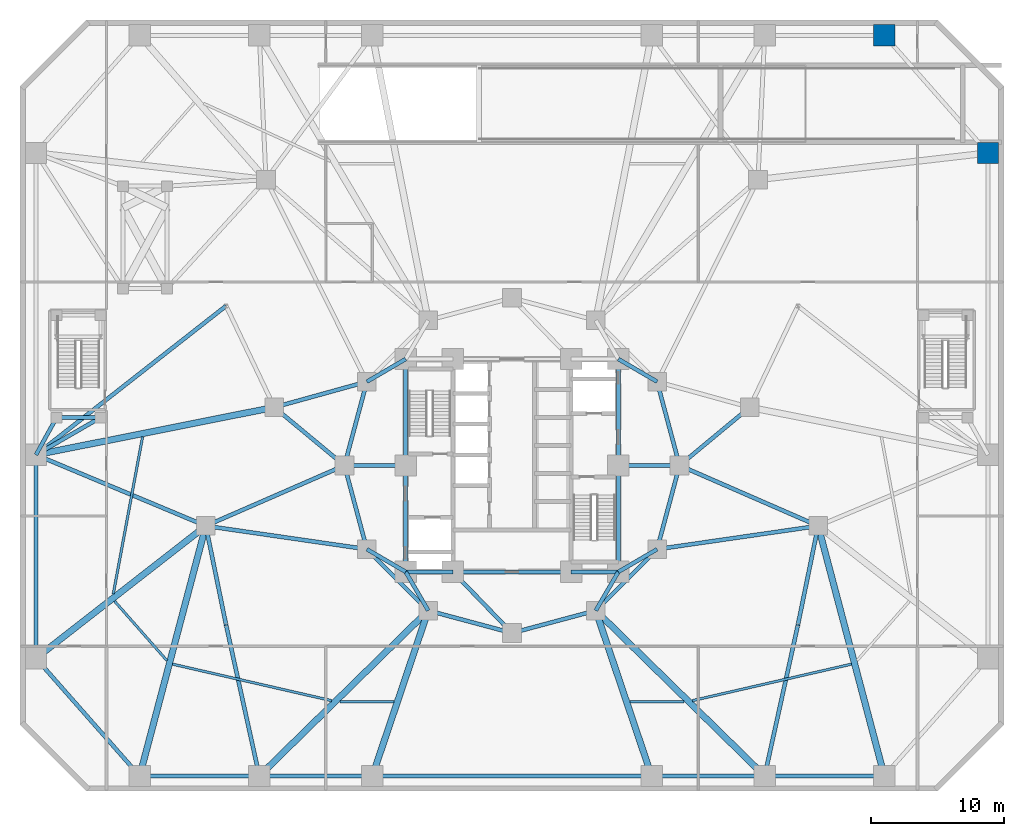
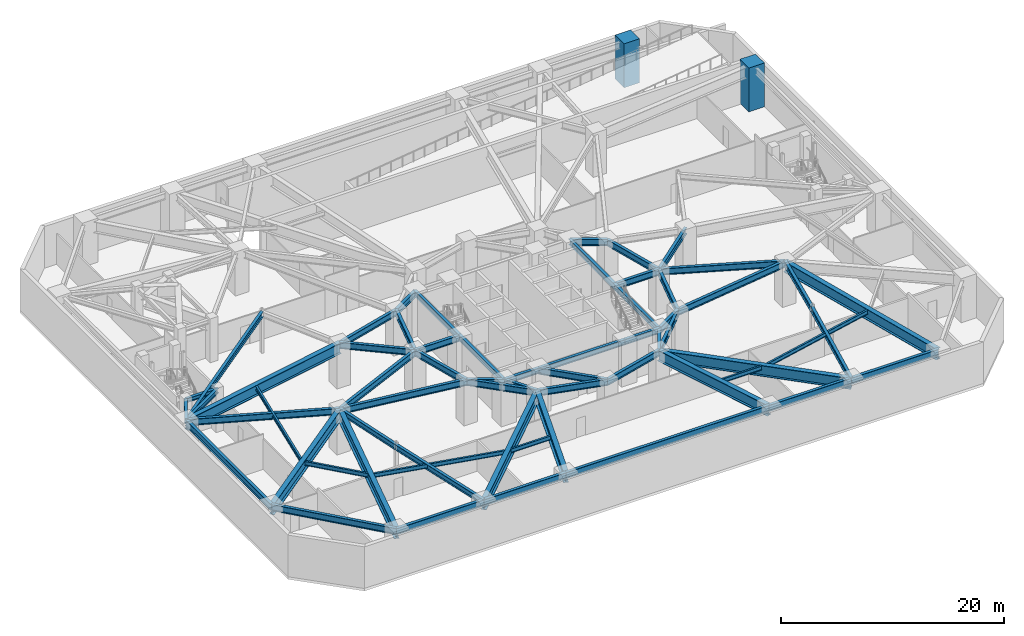
# One storey, part 8 of 18: 61 beams, 2 columns.
"""IFC4 building model written with IfcOpenShell, lengths in metres."""

from ifc_helpers import new_model, si_unit, direction, frame, origin, origin_2d, place, context, subcontext, project, spatial, rectangle, i_section, extrude, material, material_profile, profile_set, type_object, element, save


model = new_model("IFC4")

# Units and contexts
model_context = context("Model", 3, precision=1e-05, world=origin(), true_north=direction((0.0, 1.0)))
body_context = subcontext(model_context, "Body", "Model", "MODEL_VIEW")
ifc_project = project(units=[si_unit("LENGTHUNIT", "METRE"), si_unit("AREAUNIT", "SQUARE_METRE"), si_unit("VOLUMEUNIT", "CUBIC_METRE"), si_unit("PLANEANGLEUNIT", "RADIAN"), si_unit("MASSUNIT", "GRAM", prefix="KILO")], contexts=[model_context])

# Site, building, storey
site_placement = place(None, origin())
site = spatial("IfcSite", under=ifc_project, at=site_placement, CompositionType="ELEMENT")
building_placement = place(site_placement, origin())
building = spatial("IfcBuilding", under=site, at=building_placement, Name="Terralouvre Media Tower", CompositionType="ELEMENT")
storey_placement = place(building_placement, frame((0.0, 0.0, -4.800048828125)))
storey = spatial("IfcBuildingStorey", under=building, at=storey_placement, Name="B01", CompositionType="ELEMENT", Elevation=-4.800048828125)

# Columns
ifc_material_1 = material(Name="Concrete C60/75", Category="concrete")
ifc_material_profile_1 = material_profile(ifc_material_1, rectangle(XDim=1.60009765625, YDim=1.60009765625, at=origin_2d()), Name="RC 1600x1600")
ifc_profile_set_1 = profile_set([ifc_material_profile_1], Name="Concrete C60/75")
column_type = type_object("IfcColumnType", Name="Structural Column C-RC1600 (RC 1600x1600)", PredefinedType="COLUMN", material=ifc_profile_set_1)
for number, where, z_axis, x_axis, name in (
    (1, (35.800048828125, 23.5, 0.0), (0.0, 0.0, 1.0), (1.0, 0.0, 0.0), "B01 Perimeter Mega-Column PM09"),
    (2, (28.0, 32.35009765625, 0.0), (0.0, 0.0, 1.0), (1.0, 0.0, 0.0), "B01 Perimeter Mega-Column PM10"),
):
    element("IfcColumn", number, at=place(storey_placement, frame(where, z_axis=z_axis, x_axis=x_axis)), inside=storey, type_object=column_type, Name=name, PredefinedType="COLUMN", context=body_context, shape_type="SweptSolid", body=[
        extrude(rectangle(XDim=1.60009765625, YDim=1.60009765625, at=origin_2d()), origin(), (0.0, 0.0, 1.0), 4.800048828125),
    ])

# Beams
ifc_material_2 = material(Name="Structural steel S355J2", Category="steel")
ifc_material_profile_2 = material_profile(ifc_material_2, i_section(OverallWidth=0.18994140625, OverallDepth=0.449951171875, WebThickness=0.009521484375, FlangeThickness=0.0146484375, at=origin_2d()), Name="IPE 450")
ifc_profile_set_2 = profile_set([ifc_material_profile_2], Name="Structural steel S355J2")
beam_type_1 = type_object("IfcBeamType", Name="Composite Floor Joist J-IPE450 (IPE 450)", PredefinedType="JOIST", material=ifc_profile_set_2)
beam_1_placement = place(storey_placement, frame((-29.8935546875, -10.199951171875, 4.324951171875), z_axis=(0.66119903181, -0.750210530674, 0.0), x_axis=(0.750210530674, 0.66119903181, 0.0)))
element("IfcBeam", 3, at=beam_1_placement, inside=storey, type_object=beam_type_1, Name="B01 Framing Beam JT-B01-01", PredefinedType="JOIST", context=body_context, shape_type="SweptSolid", body=[
    extrude(i_section(OverallWidth=0.18994140625, OverallDepth=0.449951171875, WebThickness=0.009521484375, FlangeThickness=0.0146484375, at=origin_2d()), origin(), (0.0, 0.0, 1.0), 5.962890625),
])
beam_2_placement = place(storey_placement, frame((-25.529052734375, -14.94189453125, 4.324951171875), z_axis=(0.974645575142, -0.223754335951, 0.0), x_axis=(0.223754335951, 0.974645575142, 0.0)))
element("IfcBeam", 4, at=beam_2_placement, inside=storey, type_object=beam_type_1, Name="B01 Framing Beam JT-B01-02", PredefinedType="JOIST", context=body_context, shape_type="SweptSolid", body=[
    extrude(i_section(OverallWidth=0.18994140625, OverallDepth=0.449951171875, WebThickness=0.009521484375, FlangeThickness=0.0146484375, at=origin_2d()), origin(), (0.0, 0.0, 1.0), 12.279296875),
])
for number, where, z_axis, x_axis, name in (
    (5, (-12.944091796875, -17.7529296875, 4.324951171875), (1.0, 0.0, 0.0), (0.0, 1.0, 0.0), "B01 Framing Beam JT-B01-03"),
    (6, (8.861328125, -17.7529296875, 4.324951171875), (1.0, 0.0, 0.0), (0.0, 1.0, 0.0), "B01 Framing Beam JT-B01-05"),
):
    element("IfcBeam", number, at=place(storey_placement, frame(where, z_axis=z_axis, x_axis=x_axis)), inside=storey, type_object=beam_type_1, Name=name, PredefinedType="JOIST", context=body_context, shape_type="SweptSolid", body=[
        extrude(i_section(OverallWidth=0.18994140625, OverallDepth=0.449951171875, WebThickness=0.009521484375, FlangeThickness=0.0146484375, at=origin_2d()), origin(), (0.0, 0.0, 1.0), 4.082763671875),
    ])
beam_3_placement = place(storey_placement, frame((13.56103515625, -17.689453125, 4.324951171875), z_axis=(0.974645575142, 0.223754335951, 0.0), x_axis=(-0.223754335951, 0.974645575142, 0.0)))
element("IfcBeam", 7, at=beam_3_placement, inside=storey, type_object=beam_type_1, Name="B01 Framing Beam JT-B01-06", PredefinedType="JOIST", context=body_context, shape_type="SweptSolid", body=[
    extrude(i_section(OverallWidth=0.18994140625, OverallDepth=0.449951171875, WebThickness=0.009521484375, FlangeThickness=0.0146484375, at=origin_2d()), origin(), (0.0, 0.0, 1.0), 12.279296875),
])
beam_4_placement = place(storey_placement, frame((-27.78076171875, 2.15576171875, 4.324951171875), z_axis=(-0.183290741446, -0.983058749058, 0.0), x_axis=(0.983058749058, -0.183290741446, 0.0)))
element("IfcBeam", 8, at=beam_4_placement, inside=storey, type_object=beam_type_1, Name="B01 Framing Beam JT-B01-17", PredefinedType="JOIST", context=body_context, shape_type="SweptSolid", body=[
    extrude(i_section(OverallWidth=0.18994140625, OverallDepth=0.449951171875, WebThickness=0.009521484375, FlangeThickness=0.0146484375, at=origin_2d()), origin(), (0.0, 0.0, 1.0), 12.026611328125),
])
ifc_material_3 = material(Name="Structural steel S355J2", Category="steel")
ifc_material_profile_3 = material_profile(ifc_material_3, i_section(OverallWidth=0.300048828125, OverallDepth=0.449951171875, WebThickness=0.013916015625, FlangeThickness=0.02587890625, at=origin_2d()), Name="HEB 450")
ifc_profile_set_3 = profile_set([ifc_material_profile_3], Name="Structural steel S355J2")
beam_type_2 = type_object("IfcBeamType", Name="Primary Floor Girder B-HEB450 (HEB 450)", PredefinedType="BEAM", material=ifc_profile_set_3)
beam_5_placement = place(storey_placement, frame((-34.25, 3.60009765625, 4.324951171875), z_axis=(1.0, 0.0, 0.0), x_axis=(0.0, 1.0, 0.0)))
element("IfcBeam", 9, at=beam_5_placement, inside=storey, type_object=beam_type_2, Name="B01 Framing Beam BM-B01-PVST31", PredefinedType="BEAM", context=body_context, shape_type="SweptSolid", body=[
    extrude(i_section(OverallWidth=0.300048828125, OverallDepth=0.449951171875, WebThickness=0.013916015625, FlangeThickness=0.02587890625, at=origin_2d()), origin(), (0.0, 0.0, 1.0), 3.300048828125),
])
ifc_material_4 = material(Name="Structural steel S355J2", Category="steel")
ifc_material_profile_4 = material_profile(ifc_material_4, i_section(OverallWidth=0.300048828125, OverallDepth=0.5, WebThickness=0.014404296875, FlangeThickness=0.028076171875, at=origin_2d()), Name="HEB 500")
ifc_profile_set_4 = profile_set([ifc_material_profile_4], Name="Structural steel S355J2")
beam_type_3 = type_object("IfcBeamType", Name="Primary Floor Girder B-HEB500 (HEB 500)", PredefinedType="BEAM", material=ifc_profile_set_4)
beam_6_placement = place(storey_placement, frame((-34.25, 3.60009765625, 4.300048828125), z_axis=(-0.484321096397, -0.874890322032, 0.0), x_axis=(0.874890322032, -0.484321096397, 0.0)))
element("IfcBeam", 10, at=beam_6_placement, inside=storey, type_object=beam_type_3, Name="B01 Framing Beam BM-B01-PVTST31", PredefinedType="BEAM", context=body_context, shape_type="SweptSolid", body=[
    extrude(i_section(OverallWidth=0.300048828125, OverallDepth=0.5, WebThickness=0.014404296875, FlangeThickness=0.028076171875, at=origin_2d()), origin(), (0.0, 0.0, 1.0), 3.200439453125),
])
beam_7_placement = place(storey_placement, frame((-30.949951171875, 3.60009765625, 4.300048828125), z_axis=(-0.866037493094, -0.499979060117, 0.0), x_axis=(0.499979060117, -0.866037493094, 0.0)))
element("IfcBeam", 11, at=beam_7_placement, inside=storey, type_object=beam_type_3, Name="B01 Framing Beam BM-B01-PVTST32", PredefinedType="BEAM", context=body_context, shape_type="SweptSolid", body=[
    extrude(i_section(OverallWidth=0.300048828125, OverallDepth=0.5, WebThickness=0.014404296875, FlangeThickness=0.028076171875, at=origin_2d()), origin(), (0.0, 0.0, 1.0), 5.600341796875),
])
ifc_material_5 = material(Name="Structural steel S460M", Category="steel")
ifc_material_profile_5 = material_profile(ifc_material_5, i_section(OverallWidth=0.300048828125, OverallDepth=0.60009765625, WebThickness=0.015380859375, FlangeThickness=0.030029296875, at=origin_2d()), Name="HEB 600")
ifc_profile_set_5 = profile_set([ifc_material_profile_5], Name="Structural steel S460M")
beam_type_4 = type_object("IfcBeamType", Name="Primary Floor Girder B-HEB600 (HEB 600)", PredefinedType="BEAM", material=ifc_profile_set_5)
beam_8_placement = place(storey_placement, frame((-8.0, -8.0, 4.25), z_axis=(1.0, 0.0, 0.0), x_axis=(0.0, 1.0, 0.0)))
element("IfcBeam", 12, at=beam_8_placement, inside=storey, type_object=beam_type_4, Name="B01 Framing Beam BM-B01-CPR01", PredefinedType="BEAM", context=body_context, shape_type="SweptSolid", body=[
    extrude(i_section(OverallWidth=0.300048828125, OverallDepth=0.60009765625, WebThickness=0.015380859375, FlangeThickness=0.030029296875, at=origin_2d()), origin(), (0.0, 0.0, 1.0), 3.550048828125),
])
beam_9_placement = place(storey_placement, frame((-4.449951171875, -8.0, 4.25), z_axis=(1.0, 0.0, 0.0), x_axis=(0.0, 1.0, 0.0)))
element("IfcBeam", 13, at=beam_9_placement, inside=storey, type_object=beam_type_4, Name="B01 Framing Beam BM-B01-CPR02", PredefinedType="BEAM", context=body_context, shape_type="SweptSolid", body=[
    extrude(i_section(OverallWidth=0.300048828125, OverallDepth=0.60009765625, WebThickness=0.015380859375, FlangeThickness=0.030029296875, at=origin_2d()), origin(), (0.0, 0.0, 1.0), 8.89990234375),
])
beam_10_placement = place(storey_placement, frame((4.449951171875, -8.0, 4.25), z_axis=(1.0, 0.0, 0.0), x_axis=(0.0, 1.0, 0.0)))
element("IfcBeam", 14, at=beam_10_placement, inside=storey, type_object=beam_type_4, Name="B01 Framing Beam BM-B01-CPR03", PredefinedType="BEAM", context=body_context, shape_type="SweptSolid", body=[
    extrude(i_section(OverallWidth=0.300048828125, OverallDepth=0.60009765625, WebThickness=0.015380859375, FlangeThickness=0.030029296875, at=origin_2d()), origin(), (0.0, 0.0, 1.0), 3.550048828125),
])
for number, where, z_axis, x_axis, name in (
    (15, (8.0, -8.0, 4.25), (0.0, 1.0, 0.0), (-1.0, 0.0, 0.0), "B01 Framing Beam BM-B01-CPR04"),
    (16, (8.0, 0.0, 4.25), (0.0, 1.0, 0.0), (-1.0, 0.0, 0.0), "B01 Framing Beam BM-B01-CPR05"),
    (17, (-8.0, 8.0, 4.25), (0.0, -1.0, 0.0), (1.0, 0.0, 0.0), "B01 Framing Beam BM-B01-CPR09"),
    (18, (-8.0, 0.0, 4.25), (0.0, -1.0, 0.0), (1.0, 0.0, 0.0), "B01 Framing Beam BM-B01-CPR10"),
):
    element("IfcBeam", number, at=place(storey_placement, frame(where, z_axis=z_axis, x_axis=x_axis)), inside=storey, type_object=beam_type_4, Name=name, PredefinedType="BEAM", context=body_context, shape_type="SweptSolid", body=[
        extrude(i_section(OverallWidth=0.300048828125, OverallDepth=0.60009765625, WebThickness=0.015380859375, FlangeThickness=0.030029296875, at=origin_2d()), origin(), (0.0, 0.0, 1.0), 8.0),
    ])
beam_11_placement = place(storey_placement, frame((-23.02490234375, -4.546630859375, 4.25), z_axis=(0.200440339184, -0.979705910173, 0.0), x_axis=(0.979705910173, 0.200440339184, 0.0)))
element("IfcBeam", 19, at=beam_11_placement, inside=storey, type_object=beam_type_4, Name="B01 Framing Beam BM-B01-PIL1A", PredefinedType="BEAM", context=body_context, shape_type="SweptSolid", body=[
    extrude(i_section(OverallWidth=0.300048828125, OverallDepth=0.60009765625, WebThickness=0.015380859375, FlangeThickness=0.030029296875, at=origin_2d()), origin(), (0.0, 0.0, 1.0), 7.607666015625),
])
beam_12_placement = place(storey_placement, frame((-21.5, -12.0, 4.25), z_axis=(0.215106223579, -0.976590657634, 0.0), x_axis=(0.976590657634, 0.215106223579, 0.0)))
element("IfcBeam", 20, at=beam_12_placement, inside=storey, type_object=beam_type_4, Name="B01 Framing Beam BM-B01-PIL1B", PredefinedType="BEAM", context=body_context, shape_type="SweptSolid", body=[
    extrude(i_section(OverallWidth=0.300048828125, OverallDepth=0.60009765625, WebThickness=0.015380859375, FlangeThickness=0.030029296875, at=origin_2d()), origin(), (0.0, 0.0, 1.0), 11.6220703125),
])
beam_13_placement = place(storey_placement, frame((23.02490234375, -4.546630859375, 4.25), z_axis=(-0.200440339184, -0.979705910173, 0.0), x_axis=(0.979705910173, -0.200440339184, 0.0)))
element("IfcBeam", 21, at=beam_13_placement, inside=storey, type_object=beam_type_4, Name="B01 Framing Beam BM-B01-PIL2A", PredefinedType="BEAM", context=body_context, shape_type="SweptSolid", body=[
    extrude(i_section(OverallWidth=0.300048828125, OverallDepth=0.60009765625, WebThickness=0.015380859375, FlangeThickness=0.030029296875, at=origin_2d()), origin(), (0.0, 0.0, 1.0), 7.607666015625),
])
beam_14_placement = place(storey_placement, frame((21.5, -12.0, 4.25), z_axis=(-0.215106223579, -0.976590657634, 0.0), x_axis=(0.976590657634, -0.215106223579, 0.0)))
element("IfcBeam", 22, at=beam_14_placement, inside=storey, type_object=beam_type_4, Name="B01 Framing Beam BM-B01-PIL2B", PredefinedType="BEAM", context=body_context, shape_type="SweptSolid", body=[
    extrude(i_section(OverallWidth=0.300048828125, OverallDepth=0.60009765625, WebThickness=0.015380859375, FlangeThickness=0.030029296875, at=origin_2d()), origin(), (0.0, 0.0, 1.0), 11.6220703125),
])
beam_15_placement = place(storey_placement, frame((-21.5, 12.0, 4.25), z_axis=(-0.787274922091, -0.616602138373, 0.0), x_axis=(0.616602138373, -0.787274922091, 0.0)))
element("IfcBeam", 23, at=beam_15_placement, inside=storey, type_object=beam_type_4, Name="B01 Framing Beam BM-B01-PIL3B", PredefinedType="BEAM", context=body_context, shape_type="SweptSolid", body=[
    extrude(i_section(OverallWidth=0.300048828125, OverallDepth=0.60009765625, WebThickness=0.015380859375, FlangeThickness=0.030029296875, at=origin_2d()), origin(), (0.0, 0.0, 1.0), 18.1640625),
])
ifc_material_6 = material(Name="Structural steel S460M", Category="steel")
ifc_material_profile_6 = material_profile(ifc_material_6, i_section(OverallWidth=0.300048828125, OverallDepth=0.699951171875, WebThickness=0.01708984375, FlangeThickness=0.031982421875, at=origin_2d()), Name="HEB 700")
ifc_profile_set_6 = profile_set([ifc_material_profile_6], Name="Structural steel S460M")
beam_type_5 = type_object("IfcBeamType", Name="Primary Floor Girder B-HEB700 (HEB 700)", PredefinedType="BEAM", material=ifc_profile_set_6)
beam_16_placement = place(storey_placement, frame((-10.911865234375, -6.300048828125, 4.199951171875), z_axis=(0.707106781187, -0.707106781187, 0.0), x_axis=(0.707106781187, 0.707106781187, 0.0)))
element("IfcBeam", 24, at=beam_16_placement, inside=storey, type_object=beam_type_5, Name="B01 Framing Beam BM-B01-MR01", PredefinedType="BEAM", context=body_context, shape_type="SweptSolid", body=[
    extrude(i_section(OverallWidth=0.300048828125, OverallDepth=0.699951171875, WebThickness=0.01708984375, FlangeThickness=0.031982421875, at=origin_2d()), origin(), (0.0, 0.0, 1.0), 6.52197265625),
])
for number, where, z_axis, x_axis, name in (
    (25, (-6.300048828125, -10.911865234375, 4.199951171875), (0.965920481897, -0.258838989821, 0.0), (0.258838989821, 0.965920481897, 0.0), "B01 Framing Beam BM-B01-MR02"),
    (26, (0.0, -12.60009765625, 4.199951171875), (0.965920481897, 0.258838989821, 0.0), (-0.258838989821, 0.965920481897, 0.0), "B01 Framing Beam BM-B01-MR03"),
):
    element("IfcBeam", number, at=place(storey_placement, frame(where, z_axis=z_axis, x_axis=x_axis)), inside=storey, type_object=beam_type_5, Name=name, PredefinedType="BEAM", context=body_context, shape_type="SweptSolid", body=[
        extrude(i_section(OverallWidth=0.300048828125, OverallDepth=0.699951171875, WebThickness=0.01708984375, FlangeThickness=0.031982421875, at=origin_2d()), origin(), (0.0, 0.0, 1.0), 6.522216796875),
    ])
beam_17_placement = place(storey_placement, frame((6.300048828125, -10.911865234375, 4.199951171875), z_axis=(0.707106781187, 0.707106781187, 0.0), x_axis=(-0.707106781187, 0.707106781187, 0.0)))
element("IfcBeam", 27, at=beam_17_placement, inside=storey, type_object=beam_type_5, Name="B01 Framing Beam BM-B01-MR04", PredefinedType="BEAM", context=body_context, shape_type="SweptSolid", body=[
    extrude(i_section(OverallWidth=0.300048828125, OverallDepth=0.699951171875, WebThickness=0.01708984375, FlangeThickness=0.031982421875, at=origin_2d()), origin(), (0.0, 0.0, 1.0), 6.52197265625),
])
for number, where, z_axis, x_axis, name in (
    (28, (10.911865234375, -6.300048828125, 4.199951171875), (0.258838989821, 0.965920481897, 0.0), (-0.965920481897, 0.258838989821, 0.0), "B01 Framing Beam BM-B01-MR05"),
    (29, (12.60009765625, 0.0, 4.199951171875), (-0.258838989821, 0.965920481897, 0.0), (-0.965920481897, -0.258838989821, 0.0), "B01 Framing Beam BM-B01-MR06"),
    (30, (-10.911865234375, 6.300048828125, 4.199951171875), (-0.258838989821, -0.965920481897, 0.0), (0.965920481897, -0.258838989821, 0.0), "B01 Framing Beam BM-B01-MR11"),
    (31, (-12.60009765625, 0.0, 4.199951171875), (0.258838989821, -0.965920481897, 0.0), (0.965920481897, 0.258838989821, 0.0), "B01 Framing Beam BM-B01-MR12"),
):
    element("IfcBeam", number, at=place(storey_placement, frame(where, z_axis=z_axis, x_axis=x_axis)), inside=storey, type_object=beam_type_5, Name=name, PredefinedType="BEAM", context=body_context, shape_type="SweptSolid", body=[
        extrude(i_section(OverallWidth=0.300048828125, OverallDepth=0.699951171875, WebThickness=0.01708984375, FlangeThickness=0.031982421875, at=origin_2d()), origin(), (0.0, 0.0, 1.0), 6.522216796875),
    ])
for number, where, z_axis, x_axis, name in (
    (32, (-8.0, -8.0, 4.199951171875), (-0.863602894532, 0.504172629717, 0.0), (-0.504172629717, -0.863602894532, 0.0), "B01 Framing Beam BM-B01-CM01"),
    (33, (-8.0, -8.0, 4.199951171875), (0.504172629717, -0.863602894532, 0.0), (0.863602894532, 0.504172629717, 0.0), "B01 Framing Beam BM-B01-CM02"),
):
    element("IfcBeam", number, at=place(storey_placement, frame(where, z_axis=z_axis, x_axis=x_axis)), inside=storey, type_object=beam_type_5, Name=name, PredefinedType="BEAM", context=body_context, shape_type="SweptSolid", body=[
        extrude(i_section(OverallWidth=0.300048828125, OverallDepth=0.699951171875, WebThickness=0.01708984375, FlangeThickness=0.031982421875, at=origin_2d()), origin(), (0.0, 0.0, 1.0), 3.371826171875),
    ])
beam_18_placement = place(storey_placement, frame((-4.449951171875, -8.0, 4.199951171875), z_axis=(0.695279715726, -0.718739255155, 0.0), x_axis=(0.718739255155, 0.695279715726, 0.0)))
element("IfcBeam", 34, at=beam_18_placement, inside=storey, type_object=beam_type_5, Name="B01 Framing Beam BM-B01-CM03", PredefinedType="BEAM", context=body_context, shape_type="SweptSolid", body=[
    extrude(i_section(OverallWidth=0.300048828125, OverallDepth=0.699951171875, WebThickness=0.01708984375, FlangeThickness=0.031982421875, at=origin_2d()), origin(), (0.0, 0.0, 1.0), 6.400146484375),
])
for number, where, z_axis, x_axis, name in (
    (35, (8.0, -8.0, 4.199951171875), (-0.504172629717, -0.863602894532, 0.0), (0.863602894532, -0.504172629717, 0.0), "B01 Framing Beam BM-B01-CM04"),
    (36, (8.0, -8.0, 4.199951171875), (0.863602894532, 0.504172629717, 0.0), (-0.504172629717, 0.863602894532, 0.0), "B01 Framing Beam BM-B01-CM05"),
):
    element("IfcBeam", number, at=place(storey_placement, frame(where, z_axis=z_axis, x_axis=x_axis)), inside=storey, type_object=beam_type_5, Name=name, PredefinedType="BEAM", context=body_context, shape_type="SweptSolid", body=[
        extrude(i_section(OverallWidth=0.300048828125, OverallDepth=0.699951171875, WebThickness=0.01708984375, FlangeThickness=0.031982421875, at=origin_2d()), origin(), (0.0, 0.0, 1.0), 3.371826171875),
    ])
beam_19_placement = place(storey_placement, frame((8.0, 0.0, 4.199951171875), z_axis=(1.0, 0.0, 0.0), x_axis=(0.0, 1.0, 0.0)))
element("IfcBeam", 37, at=beam_19_placement, inside=storey, type_object=beam_type_5, Name="B01 Framing Beam BM-B01-CM06", PredefinedType="BEAM", context=body_context, shape_type="SweptSolid", body=[
    extrude(i_section(OverallWidth=0.300048828125, OverallDepth=0.699951171875, WebThickness=0.01708984375, FlangeThickness=0.031982421875, at=origin_2d()), origin(), (0.0, 0.0, 1.0), 4.60009765625),
])
for number, where, z_axis, x_axis, name in (
    (38, (8.0, 8.0, 4.199951171875), (0.863602894532, -0.504172629717, 0.0), (0.504172629717, 0.863602894532, 0.0), "B01 Framing Beam BM-B01-CM07"),
    (39, (-8.0, 8.0, 4.199951171875), (-0.863602894532, -0.504172629717, 0.0), (0.504172629717, -0.863602894532, 0.0), "B01 Framing Beam BM-B01-CM11"),
):
    element("IfcBeam", number, at=place(storey_placement, frame(where, z_axis=z_axis, x_axis=x_axis)), inside=storey, type_object=beam_type_5, Name=name, PredefinedType="BEAM", context=body_context, shape_type="SweptSolid", body=[
        extrude(i_section(OverallWidth=0.300048828125, OverallDepth=0.699951171875, WebThickness=0.01708984375, FlangeThickness=0.031982421875, at=origin_2d()), origin(), (0.0, 0.0, 1.0), 3.371826171875),
    ])
beam_20_placement = place(storey_placement, frame((-8.0, 0.0, 4.199951171875), z_axis=(-1.0, 0.0, 0.0), x_axis=(0.0, -1.0, 0.0)))
element("IfcBeam", 40, at=beam_20_placement, inside=storey, type_object=beam_type_5, Name="B01 Framing Beam BM-B01-CM12", PredefinedType="BEAM", context=body_context, shape_type="SweptSolid", body=[
    extrude(i_section(OverallWidth=0.300048828125, OverallDepth=0.699951171875, WebThickness=0.01708984375, FlangeThickness=0.031982421875, at=origin_2d()), origin(), (0.0, 0.0, 1.0), 4.60009765625),
])
beam_21_placement = place(storey_placement, frame((12.60009765625, 0.0, 4.199951171875), z_axis=(0.916615903868, -0.399769039291, 0.0), x_axis=(0.399769039291, 0.916615903868, 0.0)))
element("IfcBeam", 41, at=beam_21_placement, inside=storey, type_object=beam_type_5, Name="B01 Framing Beam BM-B01-PM21M1", PredefinedType="BEAM", context=body_context, shape_type="SweptSolid", body=[
    extrude(i_section(OverallWidth=0.300048828125, OverallDepth=0.699951171875, WebThickness=0.01708984375, FlangeThickness=0.031982421875, at=origin_2d()), origin(), (0.0, 0.0, 1.0), 11.373046875),
])
beam_22_placement = place(storey_placement, frame((10.911865234375, -6.300048828125, 4.199951171875), z_axis=(0.989684877742, 0.143261448996, 0.0), x_axis=(-0.143261448996, 0.989684877742, 0.0)))
element("IfcBeam", 42, at=beam_22_placement, inside=storey, type_object=beam_type_5, Name="B01 Framing Beam BM-B01-PM21M2", PredefinedType="BEAM", context=body_context, shape_type="SweptSolid", body=[
    extrude(i_section(OverallWidth=0.300048828125, OverallDepth=0.699951171875, WebThickness=0.01708984375, FlangeThickness=0.031982421875, at=origin_2d()), origin(), (0.0, 0.0, 1.0), 12.2392578125),
])
for number, where, z_axis, x_axis, name in (
    (43, (12.60009765625, 0.0, 4.199951171875), (0.769816459478, 0.638265320001, 0.0), (-0.638265320001, 0.769816459478, 0.0), "B01 Framing Beam BM-B01-PM22M1"),
    (44, (-12.60009765625, 0.0, 4.199951171875), (-0.769816459478, 0.638265320001, 0.0), (-0.638265320001, -0.769816459478, 0.0), "B01 Framing Beam BM-B01-PM23M1"),
):
    element("IfcBeam", number, at=place(storey_placement, frame(where, z_axis=z_axis, x_axis=x_axis)), inside=storey, type_object=beam_type_5, Name=name, PredefinedType="BEAM", context=body_context, shape_type="SweptSolid", body=[
        extrude(i_section(OverallWidth=0.300048828125, OverallDepth=0.699951171875, WebThickness=0.01708984375, FlangeThickness=0.031982421875, at=origin_2d()), origin(), (0.0, 0.0, 1.0), 6.851806640625),
    ])
beam_23_placement = place(storey_placement, frame((-10.911865234375, 6.300048828125, 4.199951171875), z_axis=(-0.963780816717, -0.266695589254, 0.0), x_axis=(0.266695589254, -0.963780816717, 0.0)))
element("IfcBeam", 45, at=beam_23_placement, inside=storey, type_object=beam_type_5, Name="B01 Framing Beam BM-B01-PM23M2", PredefinedType="BEAM", context=body_context, shape_type="SweptSolid", body=[
    extrude(i_section(OverallWidth=0.300048828125, OverallDepth=0.699951171875, WebThickness=0.01708984375, FlangeThickness=0.031982421875, at=origin_2d()), origin(), (0.0, 0.0, 1.0), 7.224609375),
])
beam_24_placement = place(storey_placement, frame((-12.60009765625, 0.0, 4.199951171875), z_axis=(-0.916615903868, -0.399769039291, 0.0), x_axis=(0.399769039291, -0.916615903868, 0.0)))
element("IfcBeam", 46, at=beam_24_placement, inside=storey, type_object=beam_type_5, Name="B01 Framing Beam BM-B01-PM24M1", PredefinedType="BEAM", context=body_context, shape_type="SweptSolid", body=[
    extrude(i_section(OverallWidth=0.300048828125, OverallDepth=0.699951171875, WebThickness=0.01708984375, FlangeThickness=0.031982421875, at=origin_2d()), origin(), (0.0, 0.0, 1.0), 11.373046875),
])
beam_25_placement = place(storey_placement, frame((-10.911865234375, -6.300048828125, 4.199951171875), z_axis=(-0.989684877742, 0.143261448996, 0.0), x_axis=(-0.143261448996, -0.989684877742, 0.0)))
element("IfcBeam", 47, at=beam_25_placement, inside=storey, type_object=beam_type_5, Name="B01 Framing Beam BM-B01-PM24M2", PredefinedType="BEAM", context=body_context, shape_type="SweptSolid", body=[
    extrude(i_section(OverallWidth=0.300048828125, OverallDepth=0.699951171875, WebThickness=0.01708984375, FlangeThickness=0.031982421875, at=origin_2d()), origin(), (0.0, 0.0, 1.0), 12.2392578125),
])
beam_26_placement = place(storey_placement, frame((-23.02490234375, -4.546630859375, 4.199951171875), z_axis=(-0.922468147364, 0.386073201737, 0.0), x_axis=(-0.386073201737, -0.922468147364, 0.0)))
element("IfcBeam", 48, at=beam_26_placement, inside=storey, type_object=beam_type_5, Name="B01 Framing Beam BM-B01-PM24P1", PredefinedType="BEAM", context=body_context, shape_type="SweptSolid", body=[
    extrude(i_section(OverallWidth=0.300048828125, OverallDepth=0.699951171875, WebThickness=0.01708984375, FlangeThickness=0.031982421875, at=origin_2d()), origin(), (0.0, 0.0, 1.0), 13.848876953125),
])
beam_27_placement = place(storey_placement, frame((-35.800048828125, -14.5, 4.199951171875), z_axis=(0.661199207896, -0.75021037548, 0.0), x_axis=(0.75021037548, 0.661199207896, 0.0)))
element("IfcBeam", 49, at=beam_27_placement, inside=storey, type_object=beam_type_5, Name="B01 Framing Beam BM-B01-PR01", PredefinedType="BEAM", context=body_context, shape_type="SweptSolid", body=[
    extrude(i_section(OverallWidth=0.300048828125, OverallDepth=0.699951171875, WebThickness=0.01708984375, FlangeThickness=0.031982421875, at=origin_2d()), origin(), (0.0, 0.0, 1.0), 11.796875),
])
beam_28_placement = place(storey_placement, frame((-28.0, -23.35009765625, 4.199951171875), z_axis=(1.0, 0.0, 0.0), x_axis=(0.0, 1.0, 0.0)))
element("IfcBeam", 50, at=beam_28_placement, inside=storey, type_object=beam_type_5, Name="B01 Framing Beam BM-B01-PR02", PredefinedType="BEAM", context=body_context, shape_type="SweptSolid", body=[
    extrude(i_section(OverallWidth=0.300048828125, OverallDepth=0.699951171875, WebThickness=0.01708984375, FlangeThickness=0.031982421875, at=origin_2d()), origin(), (0.0, 0.0, 1.0), 9.0),
])
beam_29_placement = place(storey_placement, frame((-19.0, -23.35009765625, 4.199951171875), z_axis=(1.0, 0.0, 0.0), x_axis=(0.0, 1.0, 0.0)))
element("IfcBeam", 51, at=beam_29_placement, inside=storey, type_object=beam_type_5, Name="B01 Framing Beam BM-B01-PR03", PredefinedType="BEAM", context=body_context, shape_type="SweptSolid", body=[
    extrude(i_section(OverallWidth=0.300048828125, OverallDepth=0.699951171875, WebThickness=0.01708984375, FlangeThickness=0.031982421875, at=origin_2d()), origin(), (0.0, 0.0, 1.0), 8.5),
])
beam_30_placement = place(storey_placement, frame((-10.5, -23.35009765625, 4.199951171875), z_axis=(1.0, 0.0, 0.0), x_axis=(0.0, 1.0, 0.0)))
element("IfcBeam", 52, at=beam_30_placement, inside=storey, type_object=beam_type_5, Name="B01 Framing Beam BM-B01-PR04", PredefinedType="BEAM", context=body_context, shape_type="SweptSolid", body=[
    extrude(i_section(OverallWidth=0.300048828125, OverallDepth=0.699951171875, WebThickness=0.01708984375, FlangeThickness=0.031982421875, at=origin_2d()), origin(), (0.0, 0.0, 1.0), 21.0),
])
beam_31_placement = place(storey_placement, frame((10.5, -23.35009765625, 4.199951171875), z_axis=(1.0, 0.0, 0.0), x_axis=(0.0, 1.0, 0.0)))
element("IfcBeam", 53, at=beam_31_placement, inside=storey, type_object=beam_type_5, Name="B01 Framing Beam BM-B01-PR05", PredefinedType="BEAM", context=body_context, shape_type="SweptSolid", body=[
    extrude(i_section(OverallWidth=0.300048828125, OverallDepth=0.699951171875, WebThickness=0.01708984375, FlangeThickness=0.031982421875, at=origin_2d()), origin(), (0.0, 0.0, 1.0), 8.5),
])
beam_32_placement = place(storey_placement, frame((19.0, -23.35009765625, 4.199951171875), z_axis=(1.0, 0.0, 0.0), x_axis=(0.0, 1.0, 0.0)))
element("IfcBeam", 54, at=beam_32_placement, inside=storey, type_object=beam_type_5, Name="B01 Framing Beam BM-B01-PR06", PredefinedType="BEAM", context=body_context, shape_type="SweptSolid", body=[
    extrude(i_section(OverallWidth=0.300048828125, OverallDepth=0.699951171875, WebThickness=0.01708984375, FlangeThickness=0.031982421875, at=origin_2d()), origin(), (0.0, 0.0, 1.0), 9.0),
])
beam_33_placement = place(storey_placement, frame((-35.800048828125, 0.800048828125, 4.199951171875), z_axis=(0.0, -1.0, 0.0), x_axis=(1.0, 0.0, 0.0)))
element("IfcBeam", 55, at=beam_33_placement, inside=storey, type_object=beam_type_5, Name="B01 Framing Beam BM-B01-PR18", PredefinedType="BEAM", context=body_context, shape_type="SweptSolid", body=[
    extrude(i_section(OverallWidth=0.300048828125, OverallDepth=0.699951171875, WebThickness=0.01708984375, FlangeThickness=0.031982421875, at=origin_2d()), origin(), (0.0, 0.0, 1.0), 15.300048828125),
])
ifc_material_7 = material(Name="Structural steel S460M", Category="steel")
ifc_material_profile_7 = material_profile(ifc_material_7, i_section(OverallWidth=0.47998046875, OverallDepth=1.199951171875, WebThickness=0.028076171875, FlangeThickness=0.044921875, at=origin_2d()), Name="PG 1200x480")
ifc_profile_set_7 = profile_set([ifc_material_profile_7], Name="Structural steel S460M")
beam_type_6 = type_object("IfcBeamType", Name="Primary Floor Girder B-PG1200 (PG 1200x480)", PredefinedType="BEAM", material=ifc_profile_set_7)
beam_34_placement = place(storey_placement, frame((-23.02490234375, -4.546630859375, 3.949951171875), z_axis=(-0.788838921833, -0.614599996259, 0.0), x_axis=(0.614599996259, -0.788838921833, 0.0)))
element("IfcBeam", 56, at=beam_34_placement, inside=storey, type_object=beam_type_6, Name="B01 Framing Beam BM-B01-RD01", PredefinedType="BEAM", context=body_context, shape_type="SweptSolid", body=[
    extrude(i_section(OverallWidth=0.47998046875, OverallDepth=1.199951171875, WebThickness=0.028076171875, FlangeThickness=0.044921875, at=origin_2d()), origin(), (0.0, 0.0, 1.0), 16.19482421875),
])
beam_35_placement = place(storey_placement, frame((-23.02490234375, -4.546630859375, 3.949951171875), z_axis=(-0.25578250381, -0.966734353762, 0.0), x_axis=(0.966734353762, -0.25578250381, 0.0)))
element("IfcBeam", 57, at=beam_35_placement, inside=storey, type_object=beam_type_6, Name="B01 Framing Beam BM-B01-RD02", PredefinedType="BEAM", context=body_context, shape_type="SweptSolid", body=[
    extrude(i_section(OverallWidth=0.47998046875, OverallDepth=1.199951171875, WebThickness=0.028076171875, FlangeThickness=0.044921875, at=origin_2d()), origin(), (0.0, 0.0, 1.0), 19.450439453125),
])
beam_36_placement = place(storey_placement, frame((-6.300048828125, -10.911865234375, 3.949951171875), z_axis=(-0.714429895313, -0.69970702775, 0.0), x_axis=(0.69970702775, -0.714429895313, 0.0)))
element("IfcBeam", 58, at=beam_36_placement, inside=storey, type_object=beam_type_6, Name="B01 Framing Beam BM-B01-RD03", PredefinedType="BEAM", context=body_context, shape_type="SweptSolid", body=[
    extrude(i_section(OverallWidth=0.47998046875, OverallDepth=1.199951171875, WebThickness=0.028076171875, FlangeThickness=0.044921875, at=origin_2d()), origin(), (0.0, 0.0, 1.0), 17.7763671875),
])
for number, where, z_axis, x_axis, name in (
    (59, (-6.300048828125, -10.911865234375, 3.949951171875), (-0.319918670086, -0.947445008711, 0.0), (0.947445008711, -0.319918670086, 0.0), "B01 Framing Beam BM-B01-RD04"),
    (60, (6.300048828125, -10.911865234375, 3.949951171875), (0.319918670086, -0.947445008711, 0.0), (0.947445008711, 0.319918670086, 0.0), "B01 Framing Beam BM-B01-RD05"),
):
    element("IfcBeam", number, at=place(storey_placement, frame(where, z_axis=z_axis, x_axis=x_axis)), inside=storey, type_object=beam_type_6, Name=name, PredefinedType="BEAM", context=body_context, shape_type="SweptSolid", body=[
        extrude(i_section(OverallWidth=0.47998046875, OverallDepth=1.199951171875, WebThickness=0.028076171875, FlangeThickness=0.044921875, at=origin_2d()), origin(), (0.0, 0.0, 1.0), 13.128173828125),
    ])
beam_37_placement = place(storey_placement, frame((6.300048828125, -10.911865234375, 3.949951171875), z_axis=(0.714429895313, -0.69970702775, 0.0), x_axis=(0.69970702775, 0.714429895313, 0.0)))
element("IfcBeam", 61, at=beam_37_placement, inside=storey, type_object=beam_type_6, Name="B01 Framing Beam BM-B01-RD06", PredefinedType="BEAM", context=body_context, shape_type="SweptSolid", body=[
    extrude(i_section(OverallWidth=0.47998046875, OverallDepth=1.199951171875, WebThickness=0.028076171875, FlangeThickness=0.044921875, at=origin_2d()), origin(), (0.0, 0.0, 1.0), 17.7763671875),
])
beam_38_placement = place(storey_placement, frame((23.02490234375, -4.546630859375, 3.949951171875), z_axis=(0.25578250381, -0.966734353762, 0.0), x_axis=(0.966734353762, 0.25578250381, 0.0)))
element("IfcBeam", 62, at=beam_38_placement, inside=storey, type_object=beam_type_6, Name="B01 Framing Beam BM-B01-RD07", PredefinedType="BEAM", context=body_context, shape_type="SweptSolid", body=[
    extrude(i_section(OverallWidth=0.47998046875, OverallDepth=1.199951171875, WebThickness=0.028076171875, FlangeThickness=0.044921875, at=origin_2d()), origin(), (0.0, 0.0, 1.0), 19.450439453125),
])
beam_39_placement = place(storey_placement, frame((-17.874755859375, 4.373291015625, 3.949951171875), z_axis=(-0.980704802412, -0.19549447697, 0.0), x_axis=(0.19549447697, -0.980704802412, 0.0)))
element("IfcBeam", 63, at=beam_39_placement, inside=storey, type_object=beam_type_6, Name="B01 Framing Beam BM-B01-RD18", PredefinedType="BEAM", context=body_context, shape_type="SweptSolid", body=[
    extrude(i_section(OverallWidth=0.47998046875, OverallDepth=1.199951171875, WebThickness=0.028076171875, FlangeThickness=0.044921875, at=origin_2d()), origin(), (0.0, 0.0, 1.0), 18.278076171875),
])

save(model, "model.ifc")
